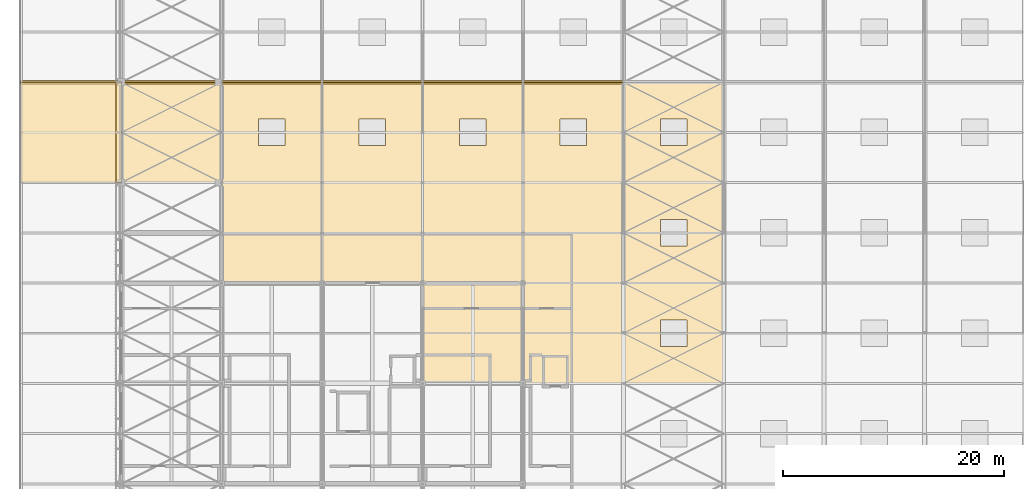
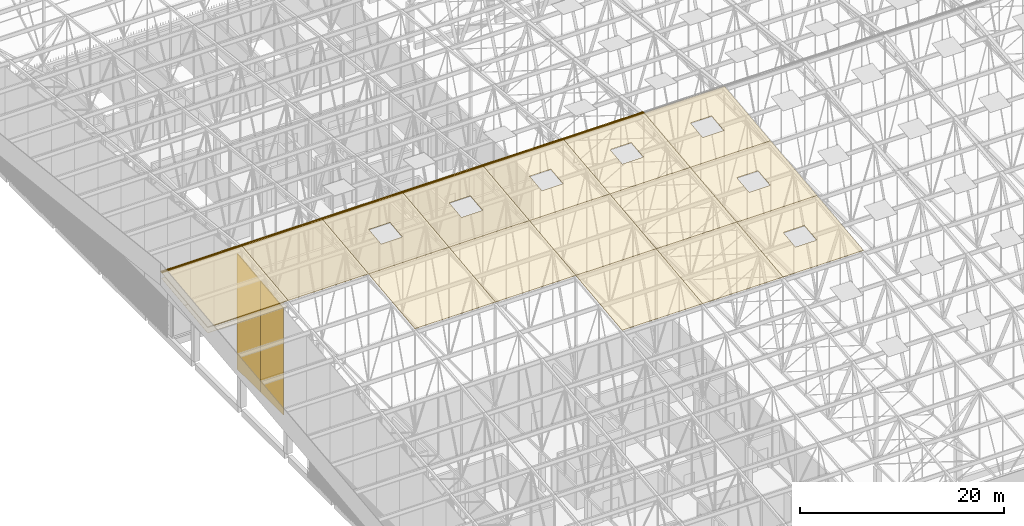
# One storey, part 464 of 500: 29 coverings, 2 shading devices.
"""IFC4 building model written with IfcOpenShell, lengths in metres."""

from ifc_helpers import new_model, si_unit, direction, frame, origin, origin_2d, place, context, subcontext, project, spatial, polyline, rectangle, outline, extrude, material, layer, layer_set, type_object, element, save


model = new_model("IFC4")

# Units and contexts
model_context = context("Model", 3, precision=1e-05, world=origin(), true_north=direction((0.0, 1.0)))
body_context = subcontext(model_context, "Body", "Model", "MODEL_VIEW")
ifc_project = project(units=[si_unit("LENGTHUNIT", "METRE"), si_unit("AREAUNIT", "SQUARE_METRE"), si_unit("VOLUMEUNIT", "CUBIC_METRE"), si_unit("PLANEANGLEUNIT", "RADIAN"), si_unit("MASSUNIT", "GRAM", prefix="KILO")], contexts=[model_context])

# Site, building, storey
site_placement = place(None, origin())
site = spatial("IfcSite", under=ifc_project, at=site_placement, CompositionType="ELEMENT")
building_placement = place(site_placement, origin())
building = spatial("IfcBuilding", under=site, at=building_placement, Name="Shirokan Park Arena", CompositionType="ELEMENT")
storey_placement = place(building_placement, frame((0.0, 0.0, 29.1201171875)))
storey = spatial("IfcBuildingStorey", under=building, at=storey_placement, Name="L06", CompositionType="ELEMENT", Elevation=29.1201171875)

# Coverings
ifc_material_1 = material(Name="Zinc standing seam sheet")
ifc_layer_1 = layer(ifc_material_1, 0.06005859375)
ifc_layer_set_1 = layer_set([ifc_layer_1], Name="Zinc standing seam sheet 60 mm")
covering_type_1 = type_object("IfcCoveringType", Name="Ridge cap 150x60", PredefinedType="CLADDING", material=ifc_layer_set_1)
covering_1_placement = place(storey_placement, frame((-9.10009765625, 54.449951171875, 19.213623046875), z_axis=(0.0, -0.113090934841, 0.993584641818), x_axis=(1.0, 0.0, 0.0)))
element("IfcCovering", 1, at=covering_1_placement, inside=storey, type_object=covering_type_1, Name="Ridge cap", PredefinedType="CLADDING", context=body_context, shape_type="SweptSolid", body=[
    extrude(outline(polyline([(0.0, 0.0), (9.10009765625, 0.0), (9.10009765625, 0.15111594730395445), (0.0, 0.15111594730395445), (0.0, 0.0)])), origin(), (0.0, 0.0, -1.0), 0.06005859375),
])
covering_2_placement = place(storey_placement, frame((-9.10009765625, 54.60009765625, 19.230712890625), z_axis=(0.0, 0.113272760674, 0.993563929342), x_axis=(1.0, 0.0, 0.0)))
element("IfcCovering", 2, at=covering_2_placement, inside=storey, type_object=covering_type_1, Name="Ridge cap", PredefinedType="CLADDING", context=body_context, shape_type="SweptSolid", body=[
    extrude(outline(polyline([(0.0, 0.0), (9.10009765625, 0.0), (9.10009765625, 0.1508733754548581), (0.0, 0.1508733754548581), (0.0, 0.0)])), origin(), (0.0, 0.0, -1.0), 0.06005859375),
])
covering_3_placement = place(storey_placement, frame((0.0, 54.449951171875, 19.213623046875), z_axis=(0.0, -0.113090934841, 0.993584641818), x_axis=(1.0, 0.0, 0.0)))
element("IfcCovering", 3, at=covering_3_placement, inside=storey, type_object=covering_type_1, Name="Ridge cap", PredefinedType="CLADDING", context=body_context, shape_type="SweptSolid", body=[
    extrude(outline(polyline([(0.0, 0.0), (9.10009765625, 0.0), (9.10009765625, 0.15111594730395445), (0.0, 0.15111594730395445), (0.0, 0.0)])), origin(), (0.0, 0.0, -1.0), 0.06005859375),
])
covering_4_placement = place(storey_placement, frame((0.0, 54.60009765625, 19.230712890625), z_axis=(0.0, 0.113272760674, 0.993563929342), x_axis=(1.0, 0.0, 0.0)))
element("IfcCovering", 4, at=covering_4_placement, inside=storey, type_object=covering_type_1, Name="Ridge cap", PredefinedType="CLADDING", context=body_context, shape_type="SweptSolid", body=[
    extrude(outline(polyline([(0.0, 0.0), (9.10009765625, 0.0), (9.10009765625, 0.1508733754548581), (0.0, 0.1508733754548581), (0.0, 0.0)])), origin(), (0.0, 0.0, -1.0), 0.06005859375),
])
covering_5_placement = place(storey_placement, frame((9.10009765625, 54.449951171875, 19.213623046875), z_axis=(0.0, -0.113090934841, 0.993584641818), x_axis=(1.0, 0.0, 0.0)))
element("IfcCovering", 5, at=covering_5_placement, inside=storey, type_object=covering_type_1, Name="Ridge cap", PredefinedType="CLADDING", context=body_context, shape_type="SweptSolid", body=[
    extrude(outline(polyline([(0.0, 0.0), (9.099853515625, 0.0), (9.099853515625, 0.15111594730395445), (0.0, 0.15111594730395445), (0.0, 0.0)])), origin(), (0.0, 0.0, -1.0), 0.06005859375),
])
covering_6_placement = place(storey_placement, frame((9.10009765625, 54.60009765625, 19.230712890625), z_axis=(0.0, 0.113272760674, 0.993563929342), x_axis=(1.0, 0.0, 0.0)))
element("IfcCovering", 6, at=covering_6_placement, inside=storey, type_object=covering_type_1, Name="Ridge cap", PredefinedType="CLADDING", context=body_context, shape_type="SweptSolid", body=[
    extrude(outline(polyline([(0.0, 0.0), (9.099853515625, 0.0), (9.099853515625, 0.1508733754548581), (0.0, 0.1508733754548581), (0.0, 0.0)])), origin(), (0.0, 0.0, -1.0), 0.06005859375),
])
covering_7_placement = place(storey_placement, frame((18.199951171875, 54.449951171875, 19.213623046875), z_axis=(0.0, -0.113090934841, 0.993584641818), x_axis=(1.0, 0.0, 0.0)))
element("IfcCovering", 7, at=covering_7_placement, inside=storey, type_object=covering_type_1, Name="Ridge cap", PredefinedType="CLADDING", context=body_context, shape_type="SweptSolid", body=[
    extrude(outline(polyline([(0.0, 0.0), (9.10009765625, 0.0), (9.10009765625, 0.15111594730395445), (0.0, 0.15111594730395445), (0.0, 0.0)])), origin(), (0.0, 0.0, -1.0), 0.06005859375),
])
covering_8_placement = place(storey_placement, frame((18.199951171875, 54.60009765625, 19.230712890625), z_axis=(0.0, 0.113272760674, 0.993563929342), x_axis=(1.0, 0.0, 0.0)))
element("IfcCovering", 8, at=covering_8_placement, inside=storey, type_object=covering_type_1, Name="Ridge cap", PredefinedType="CLADDING", context=body_context, shape_type="SweptSolid", body=[
    extrude(outline(polyline([(0.0, 0.0), (9.10009765625, 0.0), (9.10009765625, 0.1508733754548581), (0.0, 0.1508733754548581), (0.0, 0.0)])), origin(), (0.0, 0.0, -1.0), 0.06005859375),
])
covering_9_placement = place(storey_placement, frame((27.300048828125, 54.449951171875, 19.213623046875), z_axis=(0.0, -0.113090934841, 0.993584641818), x_axis=(1.0, 0.0, 0.0)))
element("IfcCovering", 9, at=covering_9_placement, inside=storey, type_object=covering_type_1, Name="Ridge cap", PredefinedType="CLADDING", context=body_context, shape_type="SweptSolid", body=[
    extrude(outline(polyline([(0.0, 0.0), (9.099853515625, 0.0), (9.099853515625, 0.15111594730395445), (0.0, 0.15111594730395445), (0.0, 0.0)])), origin(), (0.0, 0.0, -1.0), 0.06005859375),
])
covering_10_placement = place(storey_placement, frame((27.300048828125, 54.60009765625, 19.230712890625), z_axis=(0.0, 0.113272760674, 0.993563929342), x_axis=(1.0, 0.0, 0.0)))
element("IfcCovering", 10, at=covering_10_placement, inside=storey, type_object=covering_type_1, Name="Ridge cap", PredefinedType="CLADDING", context=body_context, shape_type="SweptSolid", body=[
    extrude(outline(polyline([(0.0, 0.0), (9.099853515625, 0.0), (9.099853515625, 0.1508733754548581), (0.0, 0.1508733754548581), (0.0, 0.0)])), origin(), (0.0, 0.0, -1.0), 0.06005859375),
])
covering_11_placement = place(storey_placement, frame((36.39990234375, 54.449951171875, 19.213623046875), z_axis=(0.0, -0.113090934841, 0.993584641818), x_axis=(1.0, 0.0, 0.0)))
element("IfcCovering", 11, at=covering_11_placement, inside=storey, type_object=covering_type_1, Name="Ridge cap", PredefinedType="CLADDING", context=body_context, shape_type="SweptSolid", body=[
    extrude(outline(polyline([(0.0, 0.0), (9.10009765625, 0.0), (9.10009765625, 0.15111594730395445), (0.0, 0.15111594730395445), (0.0, 0.0)])), origin(), (0.0, 0.0, -1.0), 0.06005859375),
])
covering_12_placement = place(storey_placement, frame((36.39990234375, 54.60009765625, 19.230712890625), z_axis=(0.0, 0.113272760674, 0.993563929342), x_axis=(1.0, 0.0, 0.0)))
element("IfcCovering", 12, at=covering_12_placement, inside=storey, type_object=covering_type_1, Name="Ridge cap", PredefinedType="CLADDING", context=body_context, shape_type="SweptSolid", body=[
    extrude(outline(polyline([(0.0, 0.0), (9.10009765625, 0.0), (9.10009765625, 0.1508733754548581), (0.0, 0.1508733754548581), (0.0, 0.0)])), origin(), (0.0, 0.0, -1.0), 0.06005859375),
])
ifc_material_2 = material(Name="Bituminous roofing membrane")
ifc_layer_2 = layer(ifc_material_2, 0.010009765625, Name="Bituminous roofing membrane")
ifc_material_3 = material(Name="Mineral wool insulation")
ifc_layer_3 = layer(ifc_material_3, 0.050048828125, Name="Mineral wool insulation")
ifc_layer_set_2 = layer_set([ifc_layer_2, ifc_layer_3], Name="Bituminous roofing membrane + Mineral wool insulation")
covering_type_2 = type_object("IfcCoveringType", Name="Roofing membrane 60", PredefinedType="ROOFING", material=ifc_layer_set_2)
for number, where, z_axis, x_axis, name in (
    (13, (-9.10009765625, 45.5, 18.130615234375), (0.0, -0.113549598152, 0.993532328996), (1.0, 0.0, 0.0), "Roofing"),
    (14, (0.0, 45.5, 18.130615234375), (0.0, -0.113549598152, 0.993532328996), (1.0, 0.0, 0.0), "Roofing"),
):
    element("IfcCovering", number, at=place(storey_placement, frame(where, z_axis=z_axis, x_axis=x_axis)), inside=storey, type_object=covering_type_2, Name=name, PredefinedType="ROOFING", context=body_context, shape_type="SweptSolid", body=[
        extrude(outline(polyline([(0.0, 0.0), (9.10009765625, 0.0), (9.10009765625, 9.15933723611117), (0.0, 9.15933723611117), (0.0, 0.0)])), origin(), (0.0, 0.0, -1.0), 0.06005859375),
    ])
covering_13_placement = place(storey_placement, frame((9.10009765625, 36.39990234375, 17.090576171875), z_axis=(0.0, -0.113549598152, 0.993532328996), x_axis=(1.0, 0.0, 0.0)))
element("IfcCovering", 15, at=covering_13_placement, inside=storey, type_object=covering_type_2, Name="Roofing", PredefinedType="ROOFING", context=body_context, shape_type="SweptSolid", body=[
    extrude(outline(polyline([(0.0, 0.0), (9.099853515625, 0.0), (9.099853515625, 9.15933723611117), (0.0, 9.15933723611117), (0.0, 0.0)])), origin(), (0.0, 0.0, -1.0), 0.06005859375),
])
covering_14_placement = place(storey_placement, frame((9.10009765625, 45.5, 18.130615234375), z_axis=(0.0, -0.113549598152, 0.993532328996), x_axis=(1.0, 0.0, 0.0)))
element("IfcCovering", 16, at=covering_14_placement, inside=storey, type_object=covering_type_2, Name="Roofing", PredefinedType="ROOFING", context=body_context, shape_type="SweptSolid", body=[
    extrude(outline(polyline([(0.0, 0.0), (9.099853515625, 0.0), (9.099853515625, 9.15933723611117), (0.0, 9.15933723611117), (0.0, 0.0)]), holes=[polyline([(5.75, 3.371898532319491), (5.75, 5.787438703791679), (3.349853515625, 5.787438703791679), (3.349853515625, 3.371898532319491), (5.75, 3.371898532319491)])]), origin(), (0.0, 0.0, -1.0), 0.06005859375),
])
covering_15_placement = place(storey_placement, frame((18.199951171875, 36.39990234375, 17.090576171875), z_axis=(0.0, -0.113549598152, 0.993532328996), x_axis=(1.0, 0.0, 0.0)))
element("IfcCovering", 17, at=covering_15_placement, inside=storey, type_object=covering_type_2, Name="Roofing", PredefinedType="ROOFING", context=body_context, shape_type="SweptSolid", body=[
    extrude(outline(polyline([(0.0, 0.0), (9.10009765625, 0.0), (9.10009765625, 9.15933723611117), (0.0, 9.15933723611117), (0.0, 0.0)])), origin(), (0.0, 0.0, -1.0), 0.06005859375),
])
covering_16_placement = place(storey_placement, frame((18.199951171875, 45.5, 18.130615234375), z_axis=(0.0, -0.113549598152, 0.993532328996), x_axis=(1.0, 0.0, 0.0)))
element("IfcCovering", 18, at=covering_16_placement, inside=storey, type_object=covering_type_2, Name="Roofing", PredefinedType="ROOFING", context=body_context, shape_type="SweptSolid", body=[
    extrude(outline(polyline([(0.0, 0.0), (9.10009765625, 0.0), (9.10009765625, 9.15933723611117), (0.0, 9.15933723611117), (0.0, 0.0)]), holes=[polyline([(5.75, 3.3718985323194914), (5.75, 5.78743870379168), (3.35009765625, 5.78743870379168), (3.35009765625, 3.3718985323194914), (5.75, 3.3718985323194914)])]), origin(), (0.0, 0.0, -1.0), 0.06005859375),
])
covering_17_placement = place(storey_placement, frame((27.300048828125, 27.300048828125, 16.05078125), z_axis=(0.0, -0.113526293343, 0.993534992197), x_axis=(1.0, 0.0, 0.0)))
element("IfcCovering", 19, at=covering_17_placement, inside=storey, type_object=covering_type_2, Name="Roofing", PredefinedType="ROOFING", context=body_context, shape_type="SweptSolid", body=[
    extrude(outline(polyline([(0.0, 0.0), (9.099853515625, 0.0), (9.099853515625, 9.159066954957241), (0.0, 9.159066954957241), (0.0, 0.0)])), origin(), (0.0, 0.0, -1.0), 0.06005859375),
])
covering_18_placement = place(storey_placement, frame((27.300048828125, 36.39990234375, 17.090576171875), z_axis=(0.0, -0.113549598152, 0.993532328996), x_axis=(1.0, 0.0, 0.0)))
element("IfcCovering", 20, at=covering_18_placement, inside=storey, type_object=covering_type_2, Name="Roofing", PredefinedType="ROOFING", context=body_context, shape_type="SweptSolid", body=[
    extrude(outline(polyline([(0.0, 0.0), (9.099853515625, 0.0), (9.099853515625, 9.15933723611117), (0.0, 9.15933723611117), (0.0, 0.0)])), origin(), (0.0, 0.0, -1.0), 0.06005859375),
])
covering_19_placement = place(storey_placement, frame((27.300048828125, 45.5, 18.130615234375), z_axis=(0.0, -0.113549598152, 0.993532328996), x_axis=(1.0, 0.0, 0.0)))
element("IfcCovering", 21, at=covering_19_placement, inside=storey, type_object=covering_type_2, Name="Roofing", PredefinedType="ROOFING", context=body_context, shape_type="SweptSolid", body=[
    extrude(outline(polyline([(0.0, 0.0), (9.099853515625, 0.0), (9.099853515625, 9.15933723611117), (0.0, 9.15933723611117), (0.0, 0.0)]), holes=[polyline([(5.75, 3.371898532319491), (5.75, 5.787438703791679), (3.349853515625, 5.787438703791679), (3.349853515625, 3.371898532319491), (5.75, 3.371898532319491)])]), origin(), (0.0, 0.0, -1.0), 0.06005859375),
])
covering_20_placement = place(storey_placement, frame((36.39990234375, 27.300048828125, 16.05078125), z_axis=(0.0, -0.113526293343, 0.993534992197), x_axis=(1.0, 0.0, 0.0)))
element("IfcCovering", 22, at=covering_20_placement, inside=storey, type_object=covering_type_2, Name="Roofing", PredefinedType="ROOFING", context=body_context, shape_type="SweptSolid", body=[
    extrude(outline(polyline([(0.0, 0.0), (9.10009765625, 0.0), (9.10009765625, 9.159066954957241), (0.0, 9.159066954957241), (0.0, 0.0)])), origin(), (0.0, 0.0, -1.0), 0.06005859375),
])
covering_21_placement = place(storey_placement, frame((36.39990234375, 36.39990234375, 17.090576171875), z_axis=(0.0, -0.113549598152, 0.993532328996), x_axis=(1.0, 0.0, 0.0)))
element("IfcCovering", 23, at=covering_21_placement, inside=storey, type_object=covering_type_2, Name="Roofing", PredefinedType="ROOFING", context=body_context, shape_type="SweptSolid", body=[
    extrude(outline(polyline([(0.0, 0.0), (9.10009765625, 0.0), (9.10009765625, 9.15933723611117), (0.0, 9.15933723611117), (0.0, 0.0)])), origin(), (0.0, 0.0, -1.0), 0.06005859375),
])
covering_22_placement = place(storey_placement, frame((36.39990234375, 45.5, 18.130615234375), z_axis=(0.0, -0.113549598152, 0.993532328996), x_axis=(1.0, 0.0, 0.0)))
element("IfcCovering", 24, at=covering_22_placement, inside=storey, type_object=covering_type_2, Name="Roofing", PredefinedType="ROOFING", context=body_context, shape_type="SweptSolid", body=[
    extrude(outline(polyline([(0.0, 0.0), (9.10009765625, 0.0), (9.10009765625, 9.15933723611117), (0.0, 9.15933723611117), (0.0, 0.0)]), holes=[polyline([(5.75, 3.3718985323194914), (5.75, 5.78743870379168), (3.35009765625, 5.78743870379168), (3.35009765625, 3.3718985323194914), (5.75, 3.3718985323194914)])]), origin(), (0.0, 0.0, -1.0), 0.06005859375),
])
covering_23_placement = place(storey_placement, frame((45.5, 27.300048828125, 16.05078125), z_axis=(0.0, -0.113526293343, 0.993534992197), x_axis=(1.0, 0.0, 0.0)))
element("IfcCovering", 25, at=covering_23_placement, inside=storey, type_object=covering_type_2, Name="Roofing", PredefinedType="ROOFING", context=body_context, shape_type="SweptSolid", body=[
    extrude(outline(polyline([(0.0, 0.0), (9.10009765625, 0.0), (9.10009765625, 9.159066954957241), (0.0, 9.159066954957241), (0.0, 0.0)]), holes=[polyline([(5.75, 3.371655970677786), (5.75, 5.787410984279454), (3.35009765625, 5.787410984279454), (3.35009765625, 3.371655970677786), (5.75, 3.371655970677786)])]), origin(), (0.0, 0.0, -1.0), 0.06005859375),
])
covering_24_placement = place(storey_placement, frame((45.5, 36.39990234375, 17.090576171875), z_axis=(0.0, -0.113549598152, 0.993532328996), x_axis=(1.0, 0.0, 0.0)))
element("IfcCovering", 26, at=covering_24_placement, inside=storey, type_object=covering_type_2, Name="Roofing", PredefinedType="ROOFING", context=body_context, shape_type="SweptSolid", body=[
    extrude(outline(polyline([(0.0, 0.0), (9.10009765625, 0.0), (9.10009765625, 9.15933723611117), (0.0, 9.15933723611117), (0.0, 0.0)]), holes=[polyline([(5.75, 3.371926254389353), (5.75, 5.78743870379168), (3.35009765625, 5.78743870379168), (3.35009765625, 3.371926254389353), (5.75, 3.371926254389353)])]), origin(), (0.0, 0.0, -1.0), 0.06005859375),
])
covering_25_placement = place(storey_placement, frame((45.5, 45.5, 18.130615234375), z_axis=(0.0, -0.113549598152, 0.993532328996), x_axis=(1.0, 0.0, 0.0)))
element("IfcCovering", 27, at=covering_25_placement, inside=storey, type_object=covering_type_2, Name="Roofing", PredefinedType="ROOFING", context=body_context, shape_type="SweptSolid", body=[
    extrude(outline(polyline([(0.0, 0.0), (9.10009765625, 0.0), (9.10009765625, 9.15933723611117), (0.0, 9.15933723611117), (0.0, 0.0)]), holes=[polyline([(5.75, 3.3718985323194914), (5.75, 5.78743870379168), (3.35009765625, 5.78743870379168), (3.35009765625, 3.3718985323194914), (5.75, 3.3718985323194914)])]), origin(), (0.0, 0.0, -1.0), 0.06005859375),
])
ifc_material_4 = material(Name="Timber soffit boards (cedar)", Category="wood")
ifc_layer_4 = layer(ifc_material_4, 0.030029296875)
ifc_layer_set_3 = layer_set([ifc_layer_4], Name="Timber soffit boards (cedar) 30 mm")
covering_type_3 = type_object("IfcCoveringType", Name="Timber boarded soffit panel", PredefinedType="CLADDING", material=ifc_layer_set_3)
covering_26_placement = place(storey_placement, origin())
element("IfcCovering", 28, at=covering_26_placement, inside=storey, type_object=covering_type_3, Name="Rake soffit west bay 13", PredefinedType="CLADDING", context=body_context, shape_type="SweptSolid", body=[
    extrude(outline(polyline([(0.0, 0.0), (0.11999999999999922, 0.0), (0.11999999999999922, -4.579617887990215), (0.0, -4.579617887990215), (0.0, 0.0)])), frame((-8.97998046875, 45.5, 17.421875), z_axis=(0.0, -0.113546591161, 0.993532672656), x_axis=(-1.0, 0.0, 0.0)), (0.0, 0.0, -1.0), 0.030029296875),
    extrude(outline(polyline([(0.0, 0.0), (0.12, 0.0), (0.12, -4.579617887990217), (0.0, -4.579617887990217), (0.0, 0.0)])), frame((-0.2470703125, 50.050048828125, 17.94189453125), z_axis=(0.0, -0.113546591161, 0.993532672656), x_axis=(1.0, 0.0, 0.0)), (0.0, 0.0, -1.0), 0.030029296875),
    extrude(outline(polyline([(0.0, 0.0), (0.12078064455863483, 0.0), (0.12078064455863483, -8.733000000000002), (0.0, -8.733000000000002), (0.0, 0.0)])), frame((-0.2470703125, 50.050048828125, 17.94189453125), z_axis=(0.0, -0.11351156512, 0.993536675007), x_axis=(0.0, -0.993536675007, -0.11351156512)), (0.0, 0.0, -1.0), 0.030029296875),
    extrude(outline(polyline([(0.0, 0.0), (0.12078064455863483, 0.0), (0.12078064455863483, -8.733), (0.0, -8.733), (0.0, 0.0)])), frame((-8.97998046875, 45.5, 17.421875), z_axis=(0.0, -0.11351156512, 0.993536675007), x_axis=(0.0, 0.993536675007, 0.11351156512)), (0.0, 0.0, -1.0), 0.030029296875),
    extrude(outline(polyline([(0.0, 0.0), (8.733, 0.0), (8.733, -0.1845242816000159), (0.0, -0.1845242816000159), (0.0, 0.0)])), frame((-8.97998046875, 45.80322265625, 17.45654296875), z_axis=(0.0, -0.113589386818, 0.99352778079), x_axis=(1.0, 0.0, 0.0)), (0.0, 0.0, -1.0), 0.030029296875),
    extrude(outline(polyline([(0.0, 0.0), (8.733, 0.0), (8.733, -0.30531372586243044), (0.0, -0.30531372586243044), (0.0, 0.0)])), frame((-8.97998046875, 46.106689453125, 17.4912109375), z_axis=(0.0, -0.113522573877, 0.993535417195), x_axis=(1.0, 0.0, 0.0)), (0.0, 0.0, -1.0), 0.030029296875),
    extrude(outline(polyline([(0.0, 0.0), (8.733, 0.0), (8.733, -0.3053049259347073), (0.0, -0.3053049259347073), (0.0, 0.0)])), frame((-8.97998046875, 46.409912109375, 17.52587890625), z_axis=(0.0, -0.113558600124, 0.99353130013), x_axis=(1.0, 0.0, 0.0)), (0.0, 0.0, -1.0), 0.030029296875),
    extrude(outline(polyline([(0.0, 0.0), (8.733, 0.0), (8.733, -0.3053049259347144), (0.0, -0.3053049259347144), (0.0, 0.0)])), frame((-8.97998046875, 46.71337890625, 17.560546875), z_axis=(0.0, -0.113558600124, 0.99353130013), x_axis=(1.0, 0.0, 0.0)), (0.0, 0.0, -1.0), 0.030029296875),
    extrude(outline(polyline([(0.0, 0.0), (8.733, 0.0), (8.733, -0.30531372586243044), (0.0, -0.30531372586243044), (0.0, 0.0)])), frame((-8.97998046875, 47.0166015625, 17.59521484375), z_axis=(0.0, -0.113522573877, 0.993535417195), x_axis=(1.0, 0.0, 0.0)), (0.0, 0.0, -1.0), 0.030029296875),
    extrude(outline(polyline([(0.0, 0.0), (8.733, 0.0), (8.733, -0.3053049259347144), (0.0, -0.3053049259347144), (0.0, 0.0)])), frame((-8.97998046875, 47.320068359375, 17.6298828125), z_axis=(0.0, -0.113558600124, 0.99353130013), x_axis=(1.0, 0.0, 0.0)), (0.0, 0.0, -1.0), 0.030029296875),
    extrude(outline(polyline([(0.0, 0.0), (8.733, 0.0), (8.733, -0.3053049259347144), (0.0, -0.3053049259347144), (0.0, 0.0)])), frame((-8.97998046875, 47.623291015625, 17.66455078125), z_axis=(0.0, -0.113558600124, 0.99353130013), x_axis=(1.0, 0.0, 0.0)), (0.0, 0.0, -1.0), 0.030029296875),
    extrude(outline(polyline([(0.0, 0.0), (8.733, 0.0), (8.733, -0.30531372586243044), (0.0, -0.30531372586243044), (0.0, 0.0)])), frame((-8.97998046875, 47.9267578125, 17.69921875), z_axis=(0.0, -0.113522573877, 0.993535417195), x_axis=(1.0, 0.0, 0.0)), (0.0, 0.0, -1.0), 0.030029296875),
    extrude(outline(polyline([(0.0, 0.0), (8.733, 0.0), (8.733, -0.3053049259347073), (0.0, -0.3053049259347073), (0.0, 0.0)])), frame((-8.97998046875, 48.22998046875, 17.73388671875), z_axis=(0.0, -0.113558600124, 0.99353130013), x_axis=(1.0, 0.0, 0.0)), (0.0, 0.0, -1.0), 0.030029296875),
    extrude(outline(polyline([(0.0, 0.0), (8.733, 0.0), (8.733, -0.3053049259347144), (0.0, -0.3053049259347144), (0.0, 0.0)])), frame((-8.97998046875, 48.533447265625, 17.7685546875), z_axis=(0.0, -0.113558600124, 0.99353130013), x_axis=(1.0, 0.0, 0.0)), (0.0, 0.0, -1.0), 0.030029296875),
    extrude(outline(polyline([(0.0, 0.0), (8.733, 0.0), (8.733, -0.30531372586243044), (0.0, -0.30531372586243044), (0.0, 0.0)])), frame((-8.97998046875, 48.836669921875, 17.80322265625), z_axis=(0.0, -0.113522573877, 0.993535417195), x_axis=(1.0, 0.0, 0.0)), (0.0, 0.0, -1.0), 0.030029296875),
    extrude(outline(polyline([(0.0, 0.0), (8.733, 0.0), (8.733, -0.3053049259347144), (0.0, -0.3053049259347144), (0.0, 0.0)])), frame((-8.97998046875, 49.139892578125, 17.837890625), z_axis=(0.0, -0.113558600124, 0.99353130013), x_axis=(1.0, 0.0, 0.0)), (0.0, 0.0, -1.0), 0.030029296875),
    extrude(outline(polyline([(0.0, 0.0), (8.733, 0.0), (8.733, -0.3053049259347144), (0.0, -0.3053049259347144), (0.0, 0.0)])), frame((-8.97998046875, 49.443359375, 17.87255859375), z_axis=(0.0, -0.113558600124, 0.99353130013), x_axis=(1.0, 0.0, 0.0)), (0.0, 0.0, -1.0), 0.030029296875),
    extrude(outline(polyline([(0.0, 0.0), (8.733, 0.0), (8.733, -0.30531372586243044), (0.0, -0.30531372586243044), (0.0, 0.0)])), frame((-8.97998046875, 49.74658203125, 17.9072265625), z_axis=(0.0, -0.113522573877, 0.993535417195), x_axis=(1.0, 0.0, 0.0)), (0.0, 0.0, -1.0), 0.030029296875),
    extrude(outline(polyline([(0.0, 0.0), (8.733, 0.0), (8.733, -0.18452428160000883), (0.0, -0.18452428160000883), (0.0, 0.0)])), frame((-8.97998046875, 49.929931640625, 17.92822265625), z_axis=(0.0, -0.113589386818, 0.99352778079), x_axis=(1.0, 0.0, 0.0)), (0.0, 0.0, -1.0), 0.030029296875),
])
covering_27_placement = place(storey_placement, origin())
element("IfcCovering", 29, at=covering_27_placement, inside=storey, type_object=covering_type_3, Name="Rake soffit west bay 14", PredefinedType="CLADDING", context=body_context, shape_type="SweptSolid", body=[
    extrude(outline(polyline([(0.0, 0.0), (0.11999999999999922, 0.0), (0.11999999999999922, -4.579617887990225), (0.0, -4.579617887990225), (0.0, 0.0)])), frame((-8.97998046875, 50.050048828125, 17.94189453125), z_axis=(0.0, -0.113546591161, 0.993532672656), x_axis=(-1.0, 0.0, 0.0)), (0.0, 0.0, -1.0), 0.030029296875),
    extrude(outline(polyline([(0.0, 0.0), (0.12, 0.0), (0.12, -4.579617887990225), (0.0, -4.579617887990225), (0.0, 0.0)])), frame((-0.2470703125, 54.60009765625, 18.4619140625), z_axis=(0.0, -0.113546591161, 0.993532672656), x_axis=(1.0, 0.0, 0.0)), (0.0, 0.0, -1.0), 0.030029296875),
    extrude(outline(polyline([(0.0, 0.0), (0.12078064455864268, 0.0), (0.12078064455864268, -8.733), (0.0, -8.733), (0.0, 0.0)])), frame((-0.2470703125, 54.60009765625, 18.4619140625), z_axis=(0.0, -0.11351156512, 0.993536675007), x_axis=(0.0, -0.993536675007, -0.11351156512)), (0.0, 0.0, -1.0), 0.030029296875),
    extrude(outline(polyline([(0.0, 0.0), (0.12078064455864268, 0.0), (0.12078064455864268, -8.733), (0.0, -8.733), (0.0, 0.0)])), frame((-8.97998046875, 50.050048828125, 17.94189453125), z_axis=(0.0, -0.11351156512, 0.993536675007), x_axis=(0.0, 0.993536675007, 0.11351156512)), (0.0, 0.0, -1.0), 0.030029296875),
    extrude(outline(polyline([(0.0, 0.0), (8.733, 0.0), (8.733, -0.18452428160000883), (0.0, -0.18452428160000883), (0.0, 0.0)])), frame((-8.97998046875, 50.353271484375, 17.9765625), z_axis=(0.0, -0.113589386818, 0.99352778079), x_axis=(1.0, 0.0, 0.0)), (0.0, 0.0, -1.0), 0.030029296875),
    extrude(outline(polyline([(0.0, 0.0), (8.733, 0.0), (8.733, -0.30531372586242966), (0.0, -0.30531372586242966), (0.0, 0.0)])), frame((-8.97998046875, 50.65673828125, 18.01123046875), z_axis=(0.0, -0.113522573877, 0.993535417195), x_axis=(1.0, 0.0, 0.0)), (0.0, 0.0, -1.0), 0.030029296875),
    extrude(outline(polyline([(0.0, 0.0), (8.733, 0.0), (8.733, -0.30530492593471437), (0.0, -0.30530492593471437), (0.0, 0.0)])), frame((-8.97998046875, 50.9599609375, 18.0458984375), z_axis=(0.0, -0.113558600124, 0.99353130013), x_axis=(1.0, 0.0, 0.0)), (0.0, 0.0, -1.0), 0.030029296875),
    extrude(outline(polyline([(0.0, 0.0), (8.733, 0.0), (8.733, -0.3053049259347152), (0.0, -0.3053049259347152), (0.0, 0.0)])), frame((-8.97998046875, 51.263427734375, 18.08056640625), z_axis=(0.0, -0.113558600124, 0.99353130013), x_axis=(1.0, 0.0, 0.0)), (0.0, 0.0, -1.0), 0.030029296875),
    extrude(outline(polyline([(0.0, 0.0), (8.733, 0.0), (8.733, -0.30531372586242966), (0.0, -0.30531372586242966), (0.0, 0.0)])), frame((-8.97998046875, 51.566650390625, 18.115234375), z_axis=(0.0, -0.113522573877, 0.993535417195), x_axis=(1.0, 0.0, 0.0)), (0.0, 0.0, -1.0), 0.030029296875),
    extrude(outline(polyline([(0.0, 0.0), (8.733, 0.0), (8.733, -0.3053049259347081), (0.0, -0.3053049259347081), (0.0, 0.0)])), frame((-8.97998046875, 51.8701171875, 18.14990234375), z_axis=(0.0, -0.113558600124, 0.99353130013), x_axis=(1.0, 0.0, 0.0)), (0.0, 0.0, -1.0), 0.030029296875),
    extrude(outline(polyline([(0.0, 0.0), (8.733, 0.0), (8.733, -0.3053049259347144), (0.0, -0.3053049259347144), (0.0, 0.0)])), frame((-8.97998046875, 52.17333984375, 18.1845703125), z_axis=(0.0, -0.113558600124, 0.99353130013), x_axis=(1.0, 0.0, 0.0)), (0.0, 0.0, -1.0), 0.030029296875),
    extrude(outline(polyline([(0.0, 0.0), (8.733, 0.0), (8.733, -0.3053137258624296), (0.0, -0.3053137258624296), (0.0, 0.0)])), frame((-8.97998046875, 52.4765625, 18.21923828125), z_axis=(0.0, -0.113522573877, 0.993535417195), x_axis=(1.0, 0.0, 0.0)), (0.0, 0.0, -1.0), 0.030029296875),
    extrude(outline(polyline([(0.0, 0.0), (8.733, 0.0), (8.733, -0.3053049259347152), (0.0, -0.3053049259347152), (0.0, 0.0)])), frame((-8.97998046875, 52.780029296875, 18.25390625), z_axis=(0.0, -0.113558600124, 0.99353130013), x_axis=(1.0, 0.0, 0.0)), (0.0, 0.0, -1.0), 0.030029296875),
    extrude(outline(polyline([(0.0, 0.0), (8.733, 0.0), (8.733, -0.3053049259347073), (0.0, -0.3053049259347073), (0.0, 0.0)])), frame((-8.97998046875, 53.083251953125, 18.28857421875), z_axis=(0.0, -0.113558600124, 0.99353130013), x_axis=(1.0, 0.0, 0.0)), (0.0, 0.0, -1.0), 0.030029296875),
    extrude(outline(polyline([(0.0, 0.0), (8.733, 0.0), (8.733, -0.30531372586243744), (0.0, -0.30531372586243744), (0.0, 0.0)])), frame((-8.97998046875, 53.38671875, 18.3232421875), z_axis=(0.0, -0.113522573877, 0.993535417195), x_axis=(1.0, 0.0, 0.0)), (0.0, 0.0, -1.0), 0.030029296875),
    extrude(outline(polyline([(0.0, 0.0), (8.733, 0.0), (8.733, -0.3053049259347073), (0.0, -0.3053049259347073), (0.0, 0.0)])), frame((-8.97998046875, 53.68994140625, 18.35791015625), z_axis=(0.0, -0.113558600124, 0.99353130013), x_axis=(1.0, 0.0, 0.0)), (0.0, 0.0, -1.0), 0.030029296875),
    extrude(outline(polyline([(0.0, 0.0), (8.733, 0.0), (8.733, -0.3053049259347144), (0.0, -0.3053049259347144), (0.0, 0.0)])), frame((-8.97998046875, 53.993408203125, 18.392578125), z_axis=(0.0, -0.113558600124, 0.99353130013), x_axis=(1.0, 0.0, 0.0)), (0.0, 0.0, -1.0), 0.030029296875),
    extrude(outline(polyline([(0.0, 0.0), (8.733, 0.0), (8.733, -0.30531372586243044), (0.0, -0.30531372586243044), (0.0, 0.0)])), frame((-8.97998046875, 54.296630859375, 18.42724609375), z_axis=(0.0, -0.113522573877, 0.993535417195), x_axis=(1.0, 0.0, 0.0)), (0.0, 0.0, -1.0), 0.030029296875),
    extrude(outline(polyline([(0.0, 0.0), (8.733, 0.0), (8.733, -0.18452428160000803), (0.0, -0.18452428160000803), (0.0, 0.0)])), frame((-8.97998046875, 54.47998046875, 18.4482421875), z_axis=(0.0, -0.113589386818, 0.99352778079), x_axis=(1.0, 0.0, 0.0)), (0.0, 0.0, -1.0), 0.030029296875),
])

# Shading devices
ifc_material_5 = material(Name="Timber louvre veil (cedar)", Category="wood")
shading_device_type = type_object("IfcShadingDeviceType", Name="Timber louvre veil panel, gable band, closed", PredefinedType="JALOUSIE", material=ifc_material_5)
shading_device_1_placement = place(storey_placement, origin())
element("IfcShadingDevice", 30, at=shading_device_1_placement, inside=storey, type_object=shading_device_type, Name="Timber louvre veil gable band west bay 13", PredefinedType="JALOUSIE", context=body_context, shape_type="SweptSolid", body=[
    extrude(outline(polyline([(45.80322265625, 17.391845703125), (45.5, 17.391845703125), (45.5, 4.575927734375), (50.050048828125, 4.575927734375), (50.050048828125, 17.877197265625), (49.74658203125, 17.877197265625), (49.74658203125, 17.842529296875), (49.443359375, 17.842529296875), (49.443359375, 17.807861328125), (49.139892578125, 17.807861328125), (49.139892578125, 17.773193359375), (48.836669921875, 17.773193359375), (48.836669921875, 17.738525390625), (48.533447265625, 17.738525390625), (48.533447265625, 17.703857421875), (48.22998046875, 17.703857421875), (48.22998046875, 17.669189453125), (47.9267578125, 17.669189453125), (47.9267578125, 17.634521484375), (47.623291015625, 17.634521484375), (47.623291015625, 17.599853515625), (47.320068359375, 17.599853515625), (47.320068359375, 17.565185546875), (47.0166015625, 17.565185546875), (47.0166015625, 17.530517578125), (46.71337890625, 17.530517578125), (46.71337890625, 17.495849609375), (46.409912109375, 17.495849609375), (46.409912109375, 17.461181640625), (46.106689453125, 17.461181640625), (46.106689453125, 17.426513671875), (45.80322265625, 17.426513671875), (45.80322265625, 17.391845703125)])), frame((-0.525146484375, 0.0, 0.0), z_axis=(1.0, 0.0, 0.0), x_axis=(0.0, 1.0, 0.0)), (0.0, 0.0, 1.0), 0.080078125),
    extrude(rectangle(XDim=0.050048828125, YDim=4.550048828125, at=origin_2d()), frame((-0.469970703125, 47.77490234375, 4.98583984375), z_axis=(0.0, 0.0, 1.0), x_axis=(1.0, 0.0, 0.0)), (0.0, 0.0, 1.0), 0.080078125),
    extrude(rectangle(XDim=0.050048828125, YDim=4.550048828125, at=origin_2d()), frame((-0.469970703125, 47.77490234375, 10.94384765625), z_axis=(0.0, 0.0, 1.0), x_axis=(1.0, 0.0, 0.0)), (0.0, 0.0, 1.0), 0.080078125),
    extrude(rectangle(XDim=0.050048828125, YDim=4.550048828125, at=origin_2d()), frame((-0.469970703125, 47.77490234375, 17.251953125), z_axis=(0.0, 0.0, 1.0), x_axis=(1.0, 0.0, 0.0)), (0.0, 0.0, 1.0), 0.080078125),
])
shading_device_2_placement = place(storey_placement, origin())
element("IfcShadingDevice", 31, at=shading_device_2_placement, inside=storey, type_object=shading_device_type, Name="Timber louvre veil gable band west bay 14", PredefinedType="JALOUSIE", context=body_context, shape_type="SweptSolid", body=[
    extrude(outline(polyline([(50.353271484375, 17.911865234375), (50.050048828125, 17.911865234375), (50.050048828125, 4.575927734375), (54.60009765625, 4.575927734375), (54.60009765625, 18.397216796875), (54.296630859375, 18.397216796875), (54.296630859375, 18.362548828125), (53.993408203125, 18.362548828125), (53.993408203125, 18.327880859375), (53.68994140625, 18.327880859375), (53.68994140625, 18.293212890625), (53.38671875, 18.293212890625), (53.38671875, 18.258544921875), (53.083251953125, 18.258544921875), (53.083251953125, 18.223876953125), (52.780029296875, 18.223876953125), (52.780029296875, 18.189208984375), (52.4765625, 18.189208984375), (52.4765625, 18.154541015625), (52.17333984375, 18.154541015625), (52.17333984375, 18.119873046875), (51.8701171875, 18.119873046875), (51.8701171875, 18.085205078125), (51.566650390625, 18.085205078125), (51.566650390625, 18.050537109375), (51.263427734375, 18.050537109375), (51.263427734375, 18.015869140625), (50.9599609375, 18.015869140625), (50.9599609375, 17.981201171875), (50.65673828125, 17.981201171875), (50.65673828125, 17.946533203125), (50.353271484375, 17.946533203125), (50.353271484375, 17.911865234375)])), frame((-0.525146484375, 0.0, 0.0), z_axis=(1.0, 0.0, 0.0), x_axis=(0.0, 1.0, 0.0)), (0.0, 0.0, 1.0), 0.080078125),
    extrude(rectangle(XDim=0.050048828125, YDim=4.550048828125, at=origin_2d()), frame((-0.469970703125, 52.324951171875, 4.98583984375), z_axis=(0.0, 0.0, 1.0), x_axis=(1.0, 0.0, 0.0)), (0.0, 0.0, 1.0), 0.080078125),
    extrude(rectangle(XDim=0.050048828125, YDim=4.550048828125, at=origin_2d()), frame((-0.469970703125, 52.324951171875, 11.203857421875), z_axis=(0.0, 0.0, 1.0), x_axis=(1.0, 0.0, 0.0)), (0.0, 0.0, 1.0), 0.080078125),
    extrude(rectangle(XDim=0.050048828125, YDim=4.550048828125, at=origin_2d()), frame((-0.469970703125, 52.324951171875, 17.771728515625), z_axis=(0.0, 0.0, 1.0), x_axis=(1.0, 0.0, 0.0)), (0.0, 0.0, 1.0), 0.080078125),
])

save(model, "model.ifc")
